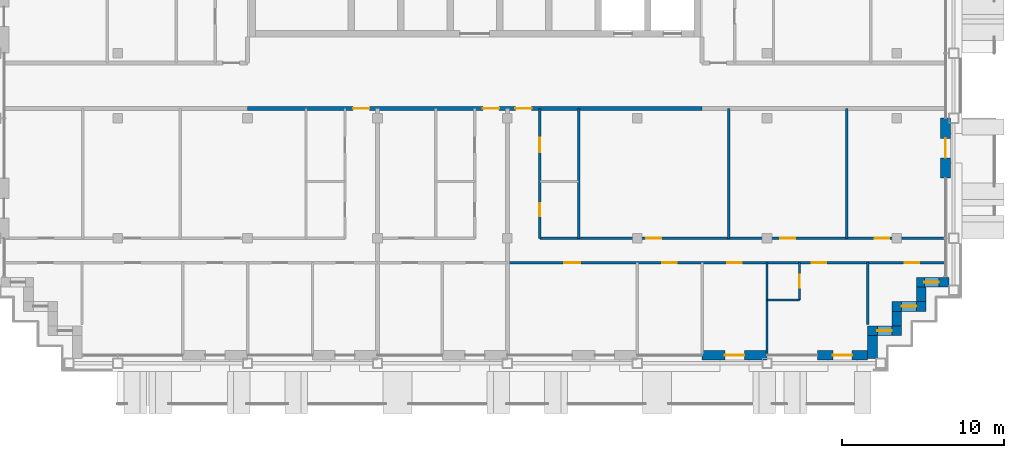
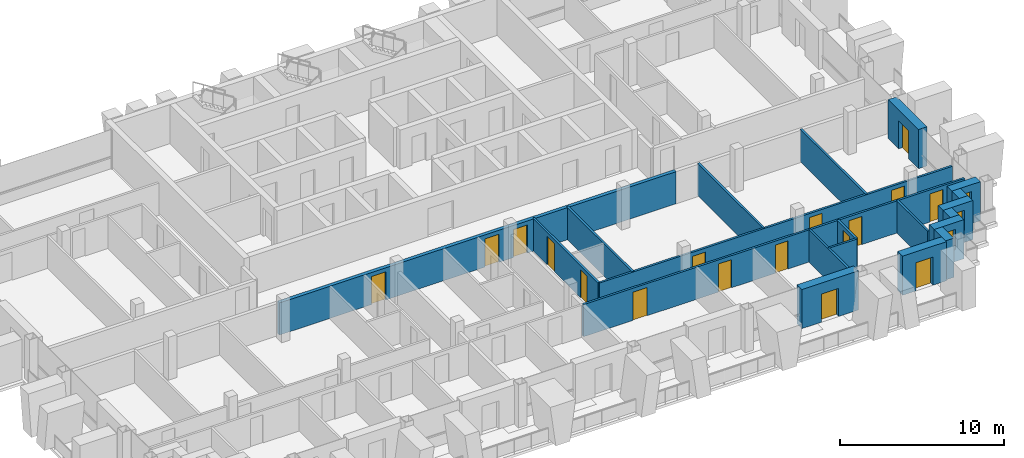
# One storey, part 9 of 16: 20 walls, 17 doors, 3 windows, 20 openings.
"""IFC4 building model written with IfcOpenShell, lengths in metres."""

from ifc_helpers import new_model, si_unit, direction, frame, frame_2d, origin, place, context, subcontext, project, spatial, rectangle, extrude, material, layer, layer_set, type_object, element, fill, save


model = new_model("IFC4")

# Units and contexts
model_context = context("Model", 3, precision=1e-05, world=origin(), true_north=direction((0.0, 1.0)))
body_context = subcontext(model_context, "Body", "Model", "MODEL_VIEW")
ifc_project = project(units=[si_unit("LENGTHUNIT", "METRE"), si_unit("AREAUNIT", "SQUARE_METRE"), si_unit("VOLUMEUNIT", "CUBIC_METRE"), si_unit("PLANEANGLEUNIT", "RADIAN"), si_unit("MASSUNIT", "GRAM", prefix="KILO")], contexts=[model_context])

# Site, building, storey
site_placement = place(None, origin())
site = spatial("IfcSite", under=ifc_project, at=site_placement, CompositionType="ELEMENT")
building_placement = place(site_placement, origin())
building = spatial("IfcBuilding", under=site, at=building_placement, Name="Vidyagriha Tower", CompositionType="ELEMENT")
storey_placement = place(building_placement, frame((0.0, 0.0, 223.60009765625)))
storey = spatial("IfcBuildingStorey", under=building, at=storey_placement, Name="L58", CompositionType="ELEMENT", Elevation=223.60009765625)

# Wall, opening, door
ifc_material_1 = material(Name="Precast concrete C40/50 with brick facing", Category="concrete")
ifc_layer_1 = layer(ifc_material_1, 0.60009765625)
ifc_layer_set_1 = layer_set([ifc_layer_1], Name="Precast concrete C40/50 with brick facing")
wall_type_1 = type_object("IfcWallType", Name="Brick-faced precast wall 600", PredefinedType="STANDARD", material=ifc_layer_set_1)
wall_1_placement = place(storey_placement, frame((14.0, -16.60009765625, 0.0)))
wall_1 = element("IfcWall", 1, at=wall_1_placement, inside=storey, type_object=wall_type_1, Name="Brick door bay wall L58 R23.11", PredefinedType="STANDARD", context=body_context, shape_type="SweptSolid", body=[
    extrude(rectangle(XDim=4.0, YDim=0.60009765625, at=frame_2d((2.0, 0.0))), origin(), (0.0, 0.0, 1.0), 2.919921875),
])
opening_1_placement = place(wall_1_placement, frame((1.39990234375, 0.0, 0.0)))
opening_1 = element("IfcOpeningElement", 2, at=opening_1_placement, cuts=wall_1, Name="Opening D58-68", PredefinedType="OPENING", context=body_context, shape_type="SweptSolid", body=[
    extrude(rectangle(XDim=1.199951171875, YDim=2.10009765625, at=frame_2d((0.60009765625, 1.050048828125))), frame((0.0, 0.31005859375, 0.0), z_axis=(0.0, -1.0, 0.0), x_axis=(1.0, 0.0, 0.0)), (0.0, 0.0, 1.0), 0.6201171875),
])
ifc_material_2 = material(Name="Aluminium framed glazed sliding door", Category="aluminium")
door_type_1 = type_object("IfcDoorType", Name="Balcony sliding door 1200x2100", OperationType="NOTDEFINED", PredefinedType="DOOR", material=ifc_material_2)
door_1_placement = place(opening_1_placement, origin())
door_1 = element("IfcDoor", 3, at=door_1_placement, inside=storey, type_object=door_type_1, Name="Door D58-68", OperationType="SLIDING_TO_LEFT", OverallHeight=2.10009765625, OverallWidth=1.199951171875, PredefinedType="DOOR", context=body_context, shape_type="SweptSolid", body=[
    extrude(rectangle(XDim=1.199951171875, YDim=2.10009765625, at=frame_2d((0.60009765625, 1.050048828125))), frame((0.0, 0.02490234375, 0.0), z_axis=(0.0, -1.0, 0.0), x_axis=(1.0, 0.0, 0.0)), (0.0, 0.0, 1.0), 0.050048828125),
])
fill(opening_1, door_1)

wall_2_placement = place(storey_placement, frame((21.10009765625, -16.60009765625, 0.0)))
wall_2 = element("IfcWall", 4, at=wall_2_placement, inside=storey, type_object=wall_type_1, Name="Brick door bay wall L58 R23.13", PredefinedType="STANDARD", context=body_context, shape_type="SweptSolid", body=[
    extrude(rectangle(XDim=3.099853515625, YDim=0.60009765625, at=frame_2d((1.5498046875, 0.0))), origin(), (0.0, 0.0, 1.0), 2.919921875),
])
opening_2_placement = place(wall_2_placement, frame((0.949951171875, 0.0, 0.0)))
opening_2 = element("IfcOpeningElement", 5, at=opening_2_placement, cuts=wall_2, Name="Opening D58-69", PredefinedType="OPENING", context=body_context, shape_type="SweptSolid", body=[
    extrude(rectangle(XDim=1.199951171875, YDim=2.10009765625, at=frame_2d((0.60009765625, 1.050048828125))), frame((0.0, 0.31005859375, 0.0), z_axis=(0.0, -1.0, 0.0), x_axis=(1.0, 0.0, 0.0)), (0.0, 0.0, 1.0), 0.6201171875),
])
door_2_placement = place(opening_2_placement, origin())
door_2 = element("IfcDoor", 6, at=door_2_placement, inside=storey, type_object=door_type_1, Name="Door D58-69", OperationType="SLIDING_TO_LEFT", OverallHeight=2.10009765625, OverallWidth=1.199951171875, PredefinedType="DOOR", context=body_context, shape_type="SweptSolid", body=[
    extrude(rectangle(XDim=1.199951171875, YDim=2.10009765625, at=frame_2d((0.60009765625, 1.050048828125))), frame((0.0, 0.02490234375, 0.0), z_axis=(0.0, -1.0, 0.0), x_axis=(1.0, 0.0, 0.0)), (0.0, 0.0, 1.0), 0.050048828125),
])
fill(opening_2, door_2)

# Wall
wall_3_placement = place(storey_placement, frame((24.5, -16.800048828125, 0.0), z_axis=(0.0, 0.0, 1.0), x_axis=(0.0, 1.0, 0.0)))
element("IfcWall", 7, at=wall_3_placement, inside=storey, type_object=wall_type_1, Name="Stepped corner wall L58 R24", PredefinedType="STANDARD", context=body_context, shape_type="SweptSolid", body=[
    extrude(rectangle(XDim=1.400146484375, YDim=0.60009765625, at=frame_2d((0.7001953125, 0.0))), origin(), (0.0, 0.0, 1.0), 2.919921875),
])

# Wall, opening, window
wall_4_placement = place(storey_placement, frame((24.199951171875, -15.10009765625, 0.0)))
wall_4 = element("IfcWall", 8, at=wall_4_placement, inside=storey, type_object=wall_type_1, Name="Stepped corner wall L58 R25", PredefinedType="STANDARD", context=body_context, shape_type="SweptSolid", body=[
    extrude(rectangle(XDim=2.10009765625, YDim=0.60009765625, at=frame_2d((1.050048828125, 0.0))), origin(), (0.0, 0.0, 1.0), 2.919921875),
])
opening_3_placement = place(wall_4_placement, frame((0.60009765625, 0.0, 0.89990234375)))
opening_3 = element("IfcOpeningElement", 9, at=opening_3_placement, cuts=wall_4, Name="Opening WN1", PredefinedType="OPENING", context=body_context, shape_type="SweptSolid", body=[
    extrude(rectangle(XDim=0.89990234375, YDim=1.5, at=frame_2d((0.449951171875, 0.75))), frame((0.0, 0.31005859375, 0.0), z_axis=(0.0, -1.0, 0.0), x_axis=(1.0, 0.0, 0.0)), (0.0, 0.0, 1.0), 0.6201171875),
])
ifc_material_3 = material(Name="Aluminium and glass window", Category="aluminium")
window_type = type_object("IfcWindowType", Name="Reveal window 900x1500", PartitioningType="NOTDEFINED", PredefinedType="WINDOW", material=ifc_material_3)
window_1_placement = place(opening_3_placement, origin())
window_1 = element("IfcWindow", 10, at=window_1_placement, inside=storey, type_object=window_type, Name="Reveal window L58 R25", OverallHeight=1.5, OverallWidth=0.89990234375, PartitioningType="SINGLE_PANEL", PredefinedType="WINDOW", context=body_context, shape_type="SweptSolid", body=[
    extrude(rectangle(XDim=0.89990234375, YDim=1.5, at=frame_2d((0.449951171875, 0.75))), frame((0.0, 0.030029296875, 0.0), z_axis=(0.0, -1.0, 0.0), x_axis=(1.0, 0.0, 0.0)), (0.0, 0.0, 1.0), 0.06005859375),
])
fill(opening_3, window_1)

# Wall
wall_5_placement = place(storey_placement, frame((26.0, -14.800048828125, 0.0), z_axis=(0.0, 0.0, 1.0), x_axis=(0.0, 1.0, 0.0)))
element("IfcWall", 11, at=wall_5_placement, inside=storey, type_object=wall_type_1, Name="Stepped corner wall L58 R26", PredefinedType="STANDARD", context=body_context, shape_type="SweptSolid", body=[
    extrude(rectangle(XDim=0.900146484375, YDim=0.60009765625, at=frame_2d((0.4501953125, 0.0))), origin(), (0.0, 0.0, 1.0), 2.919921875),
])

# Wall, opening, window
wall_6_placement = place(storey_placement, frame((25.699951171875, -13.60009765625, 0.0)))
wall_6 = element("IfcWall", 12, at=wall_6_placement, inside=storey, type_object=wall_type_1, Name="Stepped corner wall L58 R27", PredefinedType="STANDARD", context=body_context, shape_type="SweptSolid", body=[
    extrude(rectangle(XDim=2.10009765625, YDim=0.60009765625, at=frame_2d((1.050048828125, 0.0))), origin(), (0.0, 0.0, 1.0), 2.919921875),
])
opening_4_placement = place(wall_6_placement, frame((0.60009765625, 0.0, 0.89990234375)))
opening_4 = element("IfcOpeningElement", 13, at=opening_4_placement, cuts=wall_6, Name="Opening WN1", PredefinedType="OPENING", context=body_context, shape_type="SweptSolid", body=[
    extrude(rectangle(XDim=0.89990234375, YDim=1.5, at=frame_2d((0.449951171875, 0.75))), frame((0.0, 0.31005859375, 0.0), z_axis=(0.0, -1.0, 0.0), x_axis=(1.0, 0.0, 0.0)), (0.0, 0.0, 1.0), 0.6201171875),
])
window_2_placement = place(opening_4_placement, origin())
window_2 = element("IfcWindow", 14, at=window_2_placement, inside=storey, type_object=window_type, Name="Reveal window L58 R27", OverallHeight=1.5, OverallWidth=0.89990234375, PartitioningType="SINGLE_PANEL", PredefinedType="WINDOW", context=body_context, shape_type="SweptSolid", body=[
    extrude(rectangle(XDim=0.89990234375, YDim=1.5, at=frame_2d((0.449951171875, 0.75))), frame((0.0, 0.030029296875, 0.0), z_axis=(0.0, -1.0, 0.0), x_axis=(1.0, 0.0, 0.0)), (0.0, 0.0, 1.0), 0.06005859375),
])
fill(opening_4, window_2)

# Wall
wall_7_placement = place(storey_placement, frame((27.5, -13.300048828125, 0.0), z_axis=(0.0, 0.0, 1.0), x_axis=(0.0, 1.0, 0.0)))
element("IfcWall", 15, at=wall_7_placement, inside=storey, type_object=wall_type_1, Name="Stepped corner wall L58 R28", PredefinedType="STANDARD", context=body_context, shape_type="SweptSolid", body=[
    extrude(rectangle(XDim=0.900146484375, YDim=0.60009765625, at=frame_2d((0.4501953125, 0.0))), origin(), (0.0, 0.0, 1.0), 2.919921875),
])

# Wall, opening, window
wall_8_placement = place(storey_placement, frame((27.199951171875, -12.10009765625, 0.0)))
wall_8 = element("IfcWall", 16, at=wall_8_placement, inside=storey, type_object=wall_type_1, Name="Stepped corner wall L58 R29", PredefinedType="STANDARD", context=body_context, shape_type="SweptSolid", body=[
    extrude(rectangle(XDim=2.0, YDim=0.60009765625, at=frame_2d((1.0, 0.0))), origin(), (0.0, 0.0, 1.0), 2.919921875),
])
opening_5_placement = place(wall_8_placement, frame((0.489990234375, 0.0, 0.89990234375)))
opening_5 = element("IfcOpeningElement", 17, at=opening_5_placement, cuts=wall_8, Name="Opening WN1", PredefinedType="OPENING", context=body_context, shape_type="SweptSolid", body=[
    extrude(rectangle(XDim=0.89990234375, YDim=1.5, at=frame_2d((0.449951171875, 0.75))), frame((0.0, 0.31005859375, 0.0), z_axis=(0.0, -1.0, 0.0), x_axis=(1.0, 0.0, 0.0)), (0.0, 0.0, 1.0), 0.6201171875),
])
window_3_placement = place(opening_5_placement, origin())
window_3 = element("IfcWindow", 18, at=window_3_placement, inside=storey, type_object=window_type, Name="Reveal window L58 R29", OverallHeight=1.5, OverallWidth=0.89990234375, PartitioningType="SINGLE_PANEL", PredefinedType="WINDOW", context=body_context, shape_type="SweptSolid", body=[
    extrude(rectangle(XDim=0.89990234375, YDim=1.5, at=frame_2d((0.449951171875, 0.75))), frame((0.0, 0.030029296875, 0.0), z_axis=(0.0, -1.0, 0.0), x_axis=(1.0, 0.0, 0.0)), (0.0, 0.0, 1.0), 0.06005859375),
])
fill(opening_5, window_3)

# Wall, opening, door
wall_9_placement = place(storey_placement, frame((29.0, -5.699951171875, 0.0), z_axis=(0.0, 0.0, 1.0), x_axis=(0.0, 1.0, 0.0)))
wall_9 = element("IfcWall", 19, at=wall_9_placement, inside=storey, type_object=wall_type_1, Name="Brick door bay wall L58 R30.3", PredefinedType="STANDARD", context=body_context, shape_type="SweptSolid", body=[
    extrude(rectangle(XDim=3.699951171875, YDim=0.60009765625, at=frame_2d((1.85009765625, 0.0))), origin(), (0.0, 0.0, 1.0), 2.919921875),
])
opening_6_placement = place(wall_9_placement, frame((1.25, 0.0, 0.0)))
opening_6 = element("IfcOpeningElement", 20, at=opening_6_placement, cuts=wall_9, Name="Opening D58-70", PredefinedType="OPENING", context=body_context, shape_type="SweptSolid", body=[
    extrude(rectangle(XDim=1.199951171875, YDim=2.10009765625, at=frame_2d((0.60009765625, 1.050048828125))), frame((0.0, 0.31005859375, 0.0), z_axis=(0.0, -1.0, 0.0), x_axis=(1.0, 0.0, 0.0)), (0.0, 0.0, 1.0), 0.6201171875),
])
door_3_placement = place(opening_6_placement, origin())
door_3 = element("IfcDoor", 21, at=door_3_placement, inside=storey, type_object=door_type_1, Name="Door D58-70", OperationType="SLIDING_TO_LEFT", OverallHeight=2.10009765625, OverallWidth=1.199951171875, PredefinedType="DOOR", context=body_context, shape_type="SweptSolid", body=[
    extrude(rectangle(XDim=1.199951171875, YDim=2.10009765625, at=frame_2d((0.60009765625, 1.050048828125))), frame((0.0, 0.02490234375, 0.0), z_axis=(0.0, -1.0, 0.0), x_axis=(1.0, 0.0, 0.0)), (0.0, 0.0, 1.0), 0.050048828125),
])
fill(opening_6, door_3)

# Wall, openings, doors
ifc_material_4 = material(Name="Fired clay brick masonry", Category="masonry")
ifc_layer_2 = layer(ifc_material_4, 0.25)
ifc_layer_set_2 = layer_set([ifc_layer_2], Name="Fired clay brick masonry")
wall_type_2 = type_object("IfcWallType", Name="Fired clay brick corridor wall 250", PredefinedType="PARTITIONING", material=ifc_layer_set_2)
wall_10_placement = place(storey_placement, frame((14.0, -1.39990234375, 0.0), z_axis=(0.0, 0.0, 1.0), x_axis=(-1.0, 0.0, 0.0)))
wall_10 = element("IfcWall", 22, at=wall_10_placement, inside=storey, type_object=wall_type_2, Name="Wall all-L58-w096", PredefinedType="PARTITIONING", context=body_context, shape_type="SweptSolid", body=[
    extrude(rectangle(XDim=28.0, YDim=0.25, at=frame_2d((14.0, 0.0))), origin(), (0.0, 0.0, 1.0), 2.39990234375),
])
opening_7_placement = place(wall_10_placement, frame((20.5, 0.0, 0.0)))
opening_7 = element("IfcOpeningElement", 23, at=opening_7_placement, cuts=wall_10, Name="Opening D58-28", PredefinedType="OPENING", context=body_context, shape_type="SweptSolid", body=[
    extrude(rectangle(XDim=1.0, YDim=2.10009765625, at=frame_2d((0.5, 1.050048828125))), frame((0.0, 0.135009765625, 0.0), z_axis=(0.0, -1.0, 0.0), x_axis=(1.0, 0.0, 0.0)), (0.0, 0.0, 1.0), 0.27001953125),
])
opening_8_placement = place(wall_10_placement, frame((12.5, 0.0, 0.0)))
opening_8 = element("IfcOpeningElement", 24, at=opening_8_placement, cuts=wall_10, Name="Opening D58-34", PredefinedType="OPENING", context=body_context, shape_type="SweptSolid", body=[
    extrude(rectangle(XDim=1.0, YDim=2.10009765625, at=frame_2d((0.5, 1.050048828125))), frame((0.0, 0.135009765625, 0.0), z_axis=(0.0, -1.0, 0.0), x_axis=(1.0, 0.0, 0.0)), (0.0, 0.0, 1.0), 0.27001953125),
])
opening_9_placement = place(wall_10_placement, frame((10.5, 0.0, 0.0)))
opening_9 = element("IfcOpeningElement", 25, at=opening_9_placement, cuts=wall_10, Name="Opening D58-46", PredefinedType="OPENING", context=body_context, shape_type="SweptSolid", body=[
    extrude(rectangle(XDim=1.0, YDim=2.10009765625, at=frame_2d((0.5, 1.050048828125))), frame((0.0, 0.135009765625, 0.0), z_axis=(0.0, -1.0, 0.0), x_axis=(1.0, 0.0, 0.0)), (0.0, 0.0, 1.0), 0.27001953125),
])
ifc_material_5 = material(Name="Fire-rated timber door leaf EI 60", Category="wood")
door_type_2 = type_object("IfcDoorType", Name="Flat entrance fire door 1000x2100", OperationType="NOTDEFINED", PredefinedType="DOOR", material=ifc_material_5)
door_4_placement = place(opening_7_placement, origin())
door_4 = element("IfcDoor", 26, at=door_4_placement, inside=storey, type_object=door_type_2, Name="Door D58-28", OperationType="SINGLE_SWING_LEFT", OverallHeight=2.10009765625, OverallWidth=1.0, PredefinedType="DOOR", context=body_context, shape_type="SweptSolid", body=[
    extrude(rectangle(XDim=1.0, YDim=2.10009765625, at=frame_2d((0.5, 1.050048828125))), frame((0.0, 0.02490234375, 0.0), z_axis=(0.0, -1.0, 0.0), x_axis=(1.0, 0.0, 0.0)), (0.0, 0.0, 1.0), 0.050048828125),
])
fill(opening_7, door_4)
door_5_placement = place(opening_8_placement, origin())
door_5 = element("IfcDoor", 27, at=door_5_placement, inside=storey, type_object=door_type_2, Name="Door D58-34", OperationType="SINGLE_SWING_LEFT", OverallHeight=2.10009765625, OverallWidth=1.0, PredefinedType="DOOR", context=body_context, shape_type="SweptSolid", body=[
    extrude(rectangle(XDim=1.0, YDim=2.10009765625, at=frame_2d((0.5, 1.050048828125))), frame((0.0, 0.02490234375, 0.0), z_axis=(0.0, -1.0, 0.0), x_axis=(1.0, 0.0, 0.0)), (0.0, 0.0, 1.0), 0.050048828125),
])
fill(opening_8, door_5)
door_6_placement = place(opening_9_placement, origin())
door_6 = element("IfcDoor", 28, at=door_6_placement, inside=storey, type_object=door_type_2, Name="Door D58-46", OperationType="SINGLE_SWING_RIGHT", OverallHeight=2.10009765625, OverallWidth=1.0, PredefinedType="DOOR", context=body_context, shape_type="SweptSolid", body=[
    extrude(rectangle(XDim=1.0, YDim=2.10009765625, at=frame_2d((0.5, 1.050048828125))), frame((0.0, 0.02490234375, 0.0), z_axis=(0.0, -1.0, 0.0), x_axis=(1.0, 0.0, 0.0)), (0.0, 0.0, 1.0), 0.050048828125),
])
fill(opening_9, door_6)

# Walls
ifc_material_6 = material(Name="Gypsum board partition")
ifc_layer_3 = layer(ifc_material_6, 0.14990234375)
ifc_layer_set_3 = layer_set([ifc_layer_3], Name="Gypsum board partition")
wall_type_3 = type_object("IfcWallType", Name="Gypsum board partition 150", PredefinedType="PARTITIONING", material=ifc_layer_set_3)
for number, where, z_axis, x_axis, name in (
    (29, (6.39990234375, -1.39990234375, 0.0), (0.0, 0.0, 1.0), (0.0, -1.0, 0.0), "Wall all-L58-w040"),
    (30, (15.64990234375, -1.39990234375, 0.0), (0.0, 0.0, 1.0), (0.0, -1.0, 0.0), "Wall all-L58-w041"),
    (31, (22.89990234375, -1.39990234375, 0.0), (0.0, 0.0, 1.0), (0.0, -1.0, 0.0), "Wall all-L58-w042"),
):
    element("IfcWall", number, at=place(storey_placement, frame(where, z_axis=z_axis, x_axis=x_axis)), inside=storey, type_object=wall_type_3, Name=name, PredefinedType="PARTITIONING", context=body_context, shape_type="SweptSolid", body=[
        extrude(rectangle(XDim=8.0, YDim=0.14990234375, at=frame_2d((4.0, 0.0))), origin(), (0.0, 0.0, 1.0), 2.39990234375),
    ])

# Wall, openings, doors
wall_11_placement = place(storey_placement, frame((4.0, -9.39990234375, 0.0)))
wall_11 = element("IfcWall", 32, at=wall_11_placement, inside=storey, type_object=wall_type_3, Name="Wall all-L58-w043", PredefinedType="PARTITIONING", context=body_context, shape_type="SweptSolid", body=[
    extrude(rectangle(XDim=24.919921875, YDim=0.14990234375, at=frame_2d((12.4599609375, 0.0))), origin(), (0.0, 0.0, 1.0), 2.39990234375),
])
opening_10_placement = place(wall_11_placement, frame((6.574951171875, 0.0, 0.0)))
opening_10 = element("IfcOpeningElement", 33, at=opening_10_placement, cuts=wall_11, Name="Opening D58-37", PredefinedType="OPENING", context=body_context, shape_type="SweptSolid", body=[
    extrude(rectangle(XDim=0.89990234375, YDim=2.10009765625, at=frame_2d((0.449951171875, 1.050048828125))), frame((0.0, 0.0849609375, 0.0), z_axis=(0.0, -1.0, 0.0), x_axis=(1.0, 0.0, 0.0)), (0.0, 0.0, 1.0), 0.169921875),
])
opening_11_placement = place(wall_11_placement, frame((14.824951171875, 0.0, 0.0)))
opening_11 = element("IfcOpeningElement", 34, at=opening_11_placement, cuts=wall_11, Name="Opening D58-38", PredefinedType="OPENING", context=body_context, shape_type="SweptSolid", body=[
    extrude(rectangle(XDim=0.89990234375, YDim=2.10009765625, at=frame_2d((0.449951171875, 1.050048828125))), frame((0.0, 0.0849609375, 0.0), z_axis=(0.0, -1.0, 0.0), x_axis=(1.0, 0.0, 0.0)), (0.0, 0.0, 1.0), 0.169921875),
])
opening_12_placement = place(wall_11_placement, frame((20.6240234375, 0.0, 0.0)))
opening_12 = element("IfcOpeningElement", 35, at=opening_12_placement, cuts=wall_11, Name="Opening D58-39", PredefinedType="OPENING", context=body_context, shape_type="SweptSolid", body=[
    extrude(rectangle(XDim=0.89990234375, YDim=2.10009765625, at=frame_2d((0.449951171875, 1.050048828125))), frame((0.0, 0.0849609375, 0.0), z_axis=(0.0, -1.0, 0.0), x_axis=(1.0, 0.0, 0.0)), (0.0, 0.0, 1.0), 0.169921875),
])
ifc_material_7 = material(Name="Timber door leaf", Category="wood")
door_type_3 = type_object("IfcDoorType", Name="Room door 900x2100", OperationType="NOTDEFINED", PredefinedType="DOOR", material=ifc_material_7)
door_7_placement = place(opening_10_placement, origin())
door_7 = element("IfcDoor", 36, at=door_7_placement, inside=storey, type_object=door_type_3, Name="Door D58-37", OperationType="SINGLE_SWING_RIGHT", OverallHeight=2.10009765625, OverallWidth=0.89990234375, PredefinedType="DOOR", context=body_context, shape_type="SweptSolid", body=[
    extrude(rectangle(XDim=0.89990234375, YDim=2.10009765625, at=frame_2d((0.449951171875, 1.050048828125))), frame((0.0, 0.02490234375, 0.0), z_axis=(0.0, -1.0, 0.0), x_axis=(1.0, 0.0, 0.0)), (0.0, 0.0, 1.0), 0.050048828125),
])
fill(opening_10, door_7)
door_8_placement = place(opening_11_placement, origin())
door_8 = element("IfcDoor", 37, at=door_8_placement, inside=storey, type_object=door_type_3, Name="Door D58-38", OperationType="SINGLE_SWING_LEFT", OverallHeight=2.10009765625, OverallWidth=0.89990234375, PredefinedType="DOOR", context=body_context, shape_type="SweptSolid", body=[
    extrude(rectangle(XDim=0.89990234375, YDim=2.10009765625, at=frame_2d((0.449951171875, 1.050048828125))), frame((0.0, 0.02490234375, 0.0), z_axis=(0.0, -1.0, 0.0), x_axis=(1.0, 0.0, 0.0)), (0.0, 0.0, 1.0), 0.050048828125),
])
fill(opening_11, door_8)
door_9_placement = place(opening_12_placement, origin())
door_9 = element("IfcDoor", 38, at=door_9_placement, inside=storey, type_object=door_type_3, Name="Door D58-39", OperationType="SINGLE_SWING_LEFT", OverallHeight=2.10009765625, OverallWidth=0.89990234375, PredefinedType="DOOR", context=body_context, shape_type="SweptSolid", body=[
    extrude(rectangle(XDim=0.89990234375, YDim=2.10009765625, at=frame_2d((0.449951171875, 1.050048828125))), frame((0.0, 0.02490234375, 0.0), z_axis=(0.0, -1.0, 0.0), x_axis=(1.0, 0.0, 0.0)), (0.0, 0.0, 1.0), 0.050048828125),
])
fill(opening_12, door_9)

wall_12_placement = place(storey_placement, frame((28.919921875, -10.89990234375, 0.0), z_axis=(0.0, 0.0, 1.0), x_axis=(-1.0, 0.0, 0.0)))
wall_12 = element("IfcWall", 39, at=wall_12_placement, inside=storey, type_object=wall_type_3, Name="Wall all-L58-w047", PredefinedType="PARTITIONING", context=body_context, shape_type="SweptSolid", body=[
    extrude(rectangle(XDim=26.919921875, YDim=0.14990234375, at=frame_2d((13.4599609375, 0.0))), origin(), (0.0, 0.0, 1.0), 2.39990234375),
])
opening_13_placement = place(wall_12_placement, frame((22.419921875, 0.0, 0.0)))
opening_13 = element("IfcOpeningElement", 40, at=opening_13_placement, cuts=wall_12, Name="Opening D58-40", PredefinedType="OPENING", context=body_context, shape_type="SweptSolid", body=[
    extrude(rectangle(XDim=1.0, YDim=2.10009765625, at=frame_2d((0.5, 1.050048828125))), frame((0.0, 0.0849609375, 0.0), z_axis=(0.0, -1.0, 0.0), x_axis=(1.0, 0.0, 0.0)), (0.0, 0.0, 1.0), 0.169921875),
])
opening_14_placement = place(wall_12_placement, frame((16.469970703125, 0.0, 0.0)))
opening_14 = element("IfcOpeningElement", 41, at=opening_14_placement, cuts=wall_12, Name="Opening D58-41", PredefinedType="OPENING", context=body_context, shape_type="SweptSolid", body=[
    extrude(rectangle(XDim=0.89990234375, YDim=2.10009765625, at=frame_2d((0.449951171875, 1.050048828125))), frame((0.0, 0.0849609375, 0.0), z_axis=(0.0, -1.0, 0.0), x_axis=(1.0, 0.0, 0.0)), (0.0, 0.0, 1.0), 0.169921875),
])
opening_15_placement = place(wall_12_placement, frame((12.469970703125, 0.0, 0.0)))
opening_15 = element("IfcOpeningElement", 42, at=opening_15_placement, cuts=wall_12, Name="Opening D58-42", PredefinedType="OPENING", context=body_context, shape_type="SweptSolid", body=[
    extrude(rectangle(XDim=0.89990234375, YDim=2.10009765625, at=frame_2d((0.449951171875, 1.050048828125))), frame((0.0, 0.0849609375, 0.0), z_axis=(0.0, -1.0, 0.0), x_axis=(1.0, 0.0, 0.0)), (0.0, 0.0, 1.0), 0.169921875),
])
opening_16_placement = place(wall_12_placement, frame((7.27001953125, 0.0, 0.0)))
opening_16 = element("IfcOpeningElement", 43, at=opening_16_placement, cuts=wall_12, Name="Opening D58-43", PredefinedType="OPENING", context=body_context, shape_type="SweptSolid", body=[
    extrude(rectangle(XDim=0.89990234375, YDim=2.10009765625, at=frame_2d((0.449951171875, 1.050048828125))), frame((0.0, 0.0849609375, 0.0), z_axis=(0.0, -1.0, 0.0), x_axis=(1.0, 0.0, 0.0)), (0.0, 0.0, 1.0), 0.169921875),
])
opening_17_placement = place(wall_12_placement, frame((1.5439453125, 0.0, 0.0)))
opening_17 = element("IfcOpeningElement", 44, at=opening_17_placement, cuts=wall_12, Name="Opening D58-44", PredefinedType="OPENING", context=body_context, shape_type="SweptSolid", body=[
    extrude(rectangle(XDim=0.89990234375, YDim=2.10009765625, at=frame_2d((0.449951171875, 1.050048828125))), frame((0.0, 0.0849609375, 0.0), z_axis=(0.0, -1.0, 0.0), x_axis=(1.0, 0.0, 0.0)), (0.0, 0.0, 1.0), 0.169921875),
])
ifc_material_8 = material(Name="Timber door leaf", Category="wood")
door_type_4 = type_object("IfcDoorType", Name="Room door 1000x2100", OperationType="NOTDEFINED", PredefinedType="DOOR", material=ifc_material_8)
door_10_placement = place(opening_13_placement, origin())
door_10 = element("IfcDoor", 45, at=door_10_placement, inside=storey, type_object=door_type_4, Name="Door D58-40", OperationType="SINGLE_SWING_RIGHT", OverallHeight=2.10009765625, OverallWidth=1.0, PredefinedType="DOOR", context=body_context, shape_type="SweptSolid", body=[
    extrude(rectangle(XDim=1.0, YDim=2.10009765625, at=frame_2d((0.5, 1.050048828125))), frame((0.0, 0.02490234375, 0.0), z_axis=(0.0, -1.0, 0.0), x_axis=(1.0, 0.0, 0.0)), (0.0, 0.0, 1.0), 0.050048828125),
])
fill(opening_13, door_10)
door_11_placement = place(opening_14_placement, origin())
door_11 = element("IfcDoor", 46, at=door_11_placement, inside=storey, type_object=door_type_3, Name="Door D58-41", OperationType="SINGLE_SWING_RIGHT", OverallHeight=2.10009765625, OverallWidth=0.89990234375, PredefinedType="DOOR", context=body_context, shape_type="SweptSolid", body=[
    extrude(rectangle(XDim=0.89990234375, YDim=2.10009765625, at=frame_2d((0.449951171875, 1.050048828125))), frame((0.0, 0.02490234375, 0.0), z_axis=(0.0, -1.0, 0.0), x_axis=(1.0, 0.0, 0.0)), (0.0, 0.0, 1.0), 0.050048828125),
])
fill(opening_14, door_11)
door_12_placement = place(opening_15_placement, origin())
door_12 = element("IfcDoor", 47, at=door_12_placement, inside=storey, type_object=door_type_3, Name="Door D58-42", OperationType="SINGLE_SWING_RIGHT", OverallHeight=2.10009765625, OverallWidth=0.89990234375, PredefinedType="DOOR", context=body_context, shape_type="SweptSolid", body=[
    extrude(rectangle(XDim=0.89990234375, YDim=2.10009765625, at=frame_2d((0.449951171875, 1.050048828125))), frame((0.0, 0.02490234375, 0.0), z_axis=(0.0, -1.0, 0.0), x_axis=(1.0, 0.0, 0.0)), (0.0, 0.0, 1.0), 0.050048828125),
])
fill(opening_15, door_12)
door_13_placement = place(opening_16_placement, origin())
door_13 = element("IfcDoor", 48, at=door_13_placement, inside=storey, type_object=door_type_3, Name="Door D58-43", OperationType="SINGLE_SWING_LEFT", OverallHeight=2.10009765625, OverallWidth=0.89990234375, PredefinedType="DOOR", context=body_context, shape_type="SweptSolid", body=[
    extrude(rectangle(XDim=0.89990234375, YDim=2.10009765625, at=frame_2d((0.449951171875, 1.050048828125))), frame((0.0, 0.02490234375, 0.0), z_axis=(0.0, -1.0, 0.0), x_axis=(1.0, 0.0, 0.0)), (0.0, 0.0, 1.0), 0.050048828125),
])
fill(opening_16, door_13)
door_14_placement = place(opening_17_placement, origin())
door_14 = element("IfcDoor", 49, at=door_14_placement, inside=storey, type_object=door_type_3, Name="Door D58-44", OperationType="SINGLE_SWING_LEFT", OverallHeight=2.10009765625, OverallWidth=0.89990234375, PredefinedType="DOOR", context=body_context, shape_type="SweptSolid", body=[
    extrude(rectangle(XDim=0.89990234375, YDim=2.10009765625, at=frame_2d((0.449951171875, 1.050048828125))), frame((0.0, 0.02490234375, 0.0), z_axis=(0.0, -1.0, 0.0), x_axis=(1.0, 0.0, 0.0)), (0.0, 0.0, 1.0), 0.050048828125),
])
fill(opening_17, door_14)

# Walls
wall_13_placement = place(storey_placement, frame((18.0, -10.89990234375, 0.0), z_axis=(0.0, 0.0, 1.0), x_axis=(0.0, -1.0, 0.0)))
element("IfcWall", 50, at=wall_13_placement, inside=storey, type_object=wall_type_3, Name="Wall all-L58-w055", PredefinedType="PARTITIONING", context=body_context, shape_type="SweptSolid", body=[
    extrude(rectangle(XDim=5.610107421875, YDim=0.14990234375, at=frame_2d((2.80517578125, 0.0))), origin(), (0.0, 0.0, 1.0), 2.39990234375),
])
wall_14_placement = place(storey_placement, frame((24.199951171875, -10.89990234375, 0.0), z_axis=(0.0, 0.0, 1.0), x_axis=(0.0, -1.0, 0.0)))
element("IfcWall", 51, at=wall_14_placement, inside=storey, type_object=wall_type_3, Name="Wall all-L58-w056", PredefinedType="PARTITIONING", context=body_context, shape_type="SweptSolid", body=[
    extrude(rectangle(XDim=3.820068359375, YDim=0.14990234375, at=frame_2d((1.91015625, 0.0))), origin(), (0.0, 0.0, 1.0), 2.39990234375),
])

# Wall, opening, door
wall_15_placement = place(storey_placement, frame((20.0, -10.89990234375, 0.0), z_axis=(0.0, 0.0, 1.0), x_axis=(0.0, -1.0, 0.0)))
wall_15 = element("IfcWall", 52, at=wall_15_placement, inside=storey, type_object=wall_type_3, Name="Wall all-L58-w057", PredefinedType="PARTITIONING", context=body_context, shape_type="SweptSolid", body=[
    extrude(rectangle(XDim=2.300048828125, YDim=0.14990234375, at=frame_2d((1.14990234375, 0.0))), origin(), (0.0, 0.0, 1.0), 2.39990234375),
])
opening_18_placement = place(wall_15_placement, frame((0.75, 0.0, 0.0)))
opening_18 = element("IfcOpeningElement", 53, at=opening_18_placement, cuts=wall_15, Name="Opening D58-45", PredefinedType="OPENING", context=body_context, shape_type="SweptSolid", body=[
    extrude(rectangle(XDim=0.800048828125, YDim=2.10009765625, at=frame_2d((0.39990234375, 1.050048828125))), frame((0.0, 0.0849609375, 0.0), z_axis=(0.0, -1.0, 0.0), x_axis=(1.0, 0.0, 0.0)), (0.0, 0.0, 1.0), 0.169921875),
])
ifc_material_9 = material(Name="Timber door leaf", Category="wood")
door_type_5 = type_object("IfcDoorType", Name="Bathroom door 800x2100", OperationType="NOTDEFINED", PredefinedType="DOOR", material=ifc_material_9)
door_15_placement = place(opening_18_placement, origin())
door_15 = element("IfcDoor", 54, at=door_15_placement, inside=storey, type_object=door_type_5, Name="Door D58-45", OperationType="SINGLE_SWING_LEFT", OverallHeight=2.10009765625, OverallWidth=0.800048828125, PredefinedType="DOOR", context=body_context, shape_type="SweptSolid", body=[
    extrude(rectangle(XDim=0.800048828125, YDim=2.10009765625, at=frame_2d((0.39990234375, 1.050048828125))), frame((0.0, 0.02490234375, 0.0), z_axis=(0.0, -1.0, 0.0), x_axis=(1.0, 0.0, 0.0)), (0.0, 0.0, 1.0), 0.050048828125),
])
fill(opening_18, door_15)

# Wall
wall_16_placement = place(storey_placement, frame((20.0, -13.199951171875, 0.0), z_axis=(0.0, 0.0, 1.0), x_axis=(-1.0, 0.0, 0.0)))
element("IfcWall", 55, at=wall_16_placement, inside=storey, type_object=wall_type_3, Name="Wall all-L58-w058", PredefinedType="PARTITIONING", context=body_context, shape_type="SweptSolid", body=[
    extrude(rectangle(XDim=2.0, YDim=0.14990234375, at=frame_2d((1.0, 0.0))), origin(), (0.0, 0.0, 1.0), 2.39990234375),
])

# Wall, openings, doors
ifc_material_10 = material(Name="Moisture resistant gypsum board partition")
ifc_layer_4 = layer(ifc_material_10, 0.14990234375)
ifc_layer_set_4 = layer_set([ifc_layer_4], Name="Moisture resistant gypsum board partition")
wall_type_4 = type_object("IfcWallType", Name="Gypsum board wet-area partition 150", PredefinedType="PARTITIONING", material=ifc_layer_set_4)
wall_17_placement = place(storey_placement, frame((4.0, -1.39990234375, 0.0), z_axis=(0.0, 0.0, 1.0), x_axis=(0.0, -1.0, 0.0)))
wall_17 = element("IfcWall", 56, at=wall_17_placement, inside=storey, type_object=wall_type_4, Name="Wall all-L58-w036", PredefinedType="PARTITIONING", context=body_context, shape_type="SweptSolid", body=[
    extrude(rectangle(XDim=8.0, YDim=0.14990234375, at=frame_2d((4.0, 0.0))), origin(), (0.0, 0.0, 1.0), 2.39990234375),
])
opening_19_placement = place(wall_17_placement, frame((1.800048828125, 0.0, 0.0)))
opening_19 = element("IfcOpeningElement", 57, at=opening_19_placement, cuts=wall_17, Name="Opening D58-35", PredefinedType="OPENING", context=body_context, shape_type="SweptSolid", body=[
    extrude(rectangle(XDim=0.89990234375, YDim=2.10009765625, at=frame_2d((0.449951171875, 1.050048828125))), frame((0.0, 0.0849609375, 0.0), z_axis=(0.0, -1.0, 0.0), x_axis=(1.0, 0.0, 0.0)), (0.0, 0.0, 1.0), 0.169921875),
])
opening_20_placement = place(wall_17_placement, frame((5.85009765625, 0.0, 0.0)))
opening_20 = element("IfcOpeningElement", 58, at=opening_20_placement, cuts=wall_17, Name="Opening D58-36", PredefinedType="OPENING", context=body_context, shape_type="SweptSolid", body=[
    extrude(rectangle(XDim=0.800048828125, YDim=2.10009765625, at=frame_2d((0.39990234375, 1.050048828125))), frame((0.0, 0.0849609375, 0.0), z_axis=(0.0, -1.0, 0.0), x_axis=(1.0, 0.0, 0.0)), (0.0, 0.0, 1.0), 0.169921875),
])
door_16_placement = place(opening_20_placement, origin())
door_16 = element("IfcDoor", 59, at=door_16_placement, inside=storey, type_object=door_type_5, Name="Door D58-36", OperationType="SINGLE_SWING_RIGHT", OverallHeight=2.10009765625, OverallWidth=0.800048828125, PredefinedType="DOOR", context=body_context, shape_type="SweptSolid", body=[
    extrude(rectangle(XDim=0.800048828125, YDim=2.10009765625, at=frame_2d((0.39990234375, 1.050048828125))), frame((0.0, 0.02490234375, 0.0), z_axis=(0.0, -1.0, 0.0), x_axis=(1.0, 0.0, 0.0)), (0.0, 0.0, 1.0), 0.050048828125),
])
fill(opening_20, door_16)
ifc_material_11 = material(Name="Timber door leaf", Category="wood")
door_type_6 = type_object("IfcDoorType", Name="Kitchen door 900x2100", OperationType="NOTDEFINED", PredefinedType="DOOR", material=ifc_material_11)
door_17_placement = place(opening_19_placement, origin())
door_17 = element("IfcDoor", 60, at=door_17_placement, inside=storey, type_object=door_type_6, Name="Door D58-35", OperationType="SINGLE_SWING_LEFT", OverallHeight=2.10009765625, OverallWidth=0.89990234375, PredefinedType="DOOR", context=body_context, shape_type="SweptSolid", body=[
    extrude(rectangle(XDim=0.89990234375, YDim=2.10009765625, at=frame_2d((0.449951171875, 1.050048828125))), frame((0.0, 0.02490234375, 0.0), z_axis=(0.0, -1.0, 0.0), x_axis=(1.0, 0.0, 0.0)), (0.0, 0.0, 1.0), 0.050048828125),
])
fill(opening_19, door_17)

save(model, "model.ifc")
